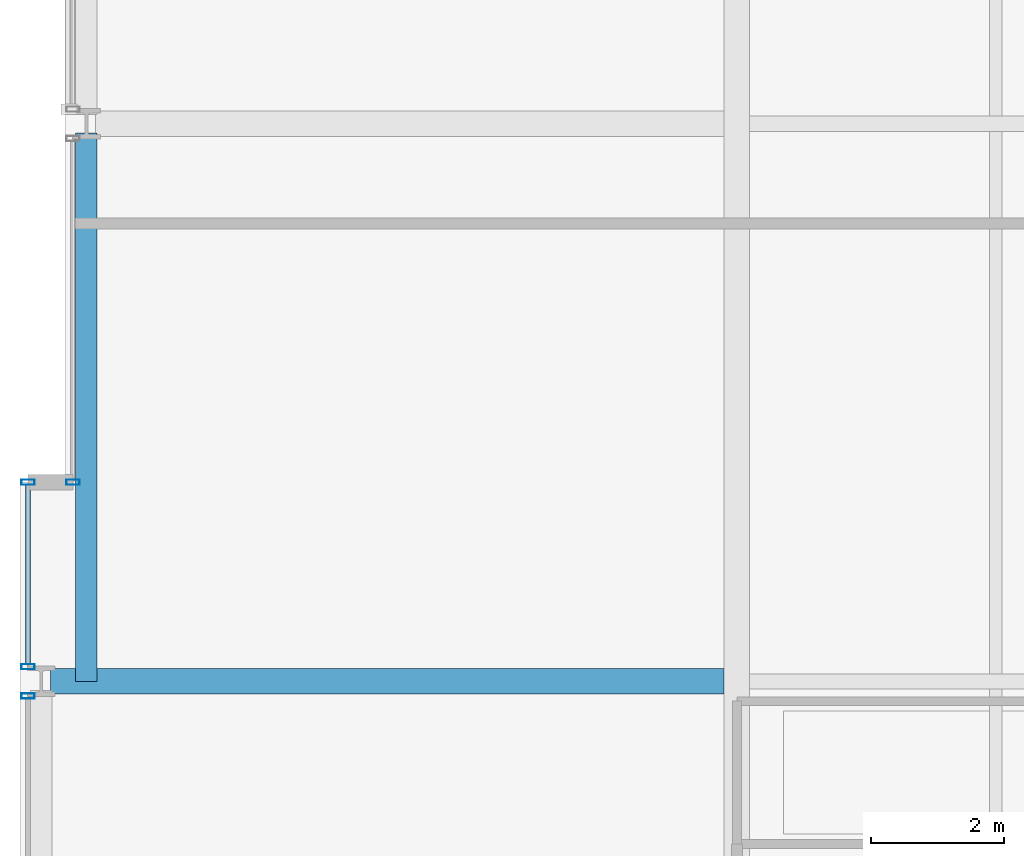
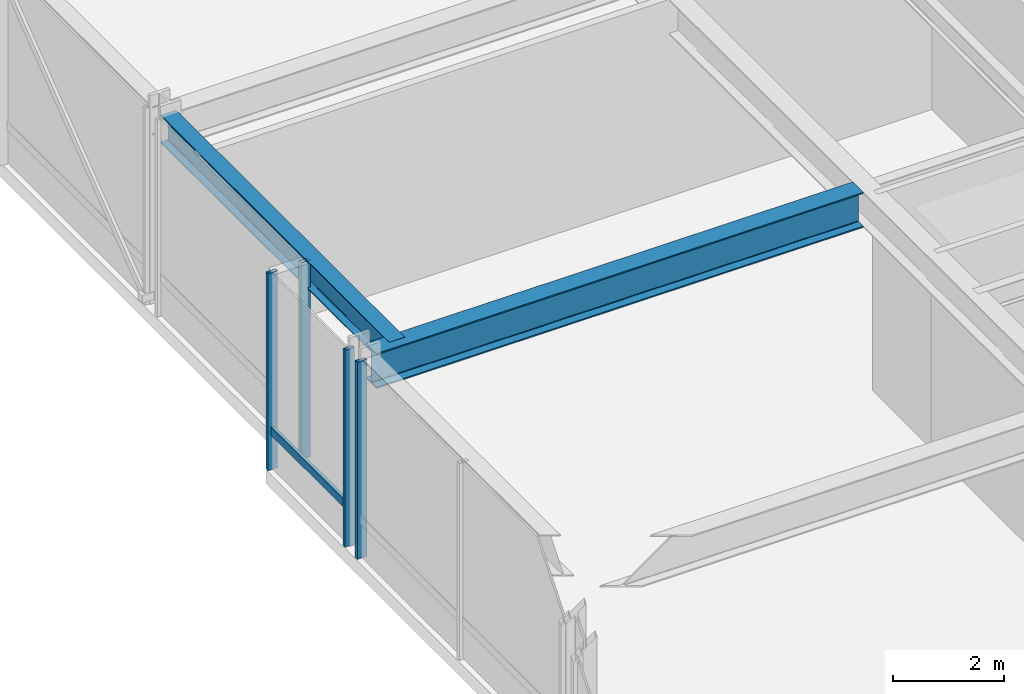
# One storey, part 7 of 33: 5 members, 2 beams, 3 elements without a shape of their own.
"""IFC4 building model written with IfcOpenShell, lengths in metres."""

from ifc_helpers import new_model, si_unit, direction, frame, origin, origin_2d, place, context, subcontext, project, spatial, hollow_rectangle, i_section, extrude, material, layer, layer_set, material_profile, profile_set, type_object, element, aggregate, save


model = new_model("IFC4")

# Units and contexts
model_context = context("Model", 3, precision=1e-05, world=origin(), true_north=direction((0.0, 1.0)))
body_context = subcontext(model_context, "Body", "Model", "MODEL_VIEW")
ifc_project = project(units=[si_unit("LENGTHUNIT", "METRE"), si_unit("AREAUNIT", "SQUARE_METRE"), si_unit("VOLUMEUNIT", "CUBIC_METRE"), si_unit("PLANEANGLEUNIT", "RADIAN"), si_unit("MASSUNIT", "GRAM", prefix="KILO")], contexts=[model_context])

# Site, building, storey
site_placement = place(None, origin())
site = spatial("IfcSite", under=ifc_project, at=site_placement, CompositionType="ELEMENT")
building_placement = place(site_placement, origin())
building = spatial("IfcBuilding", under=site, at=building_placement, Name="Drelvath Grand Hotel", CompositionType="ELEMENT")
storey_placement = place(building_placement, frame((0.0, 0.0, 87.199951171875)))
storey = spatial("IfcBuildingStorey", under=building, at=storey_placement, Name="L21", CompositionType="ELEMENT", Elevation=87.199951171875)

# Curtain wall, member
ifc_material_1 = material(Name="Champagne Bronze Anodised Aluminium Frame", Category="aluminium")
ifc_layer = layer(ifc_material_1, 0.199951171875)
ifc_layer_set = layer_set([ifc_layer], Name="Champagne Bronze Anodised Aluminium Frame")
curtain_wall_type = type_object("IfcCurtainWallType", Name="Stick Curtain Wall CW-03 Champagne Bronze Mid-Rise", PredefinedType="NOTDEFINED", material=ifc_layer_set)
curtain_wall_1_placement = place(storey_placement, origin())
curtain_wall_1 = element("IfcCurtainWall", 1, at=curtain_wall_1_placement, inside=storey, type_object=curtain_wall_type, Name="L21 CW-03 Curtain Wall CW03-L21-WS3", PredefinedType="NOTDEFINED")
ifc_material_profile_1 = material_profile(ifc_material_1, hollow_rectangle(XDim=0.074951171875, YDim=0.179931640625, WallThickness=0.0048828125, at=origin_2d()), Name="HSS180X75X5")
ifc_profile_set_1 = profile_set([ifc_material_profile_1], Name="Champagne Bronze Anodised Aluminium Frame")
member_type_1 = type_object("IfcMemberType", Name="Curtain Wall Horizontal Transom CW-03 HSS180X75X5", PredefinedType="USERDEFINED", material=ifc_profile_set_1)
member_1_placement = place(storey_placement, frame((-26.8798828125, 18.859619140625, 0.85009765625), z_axis=(0.0, 1.0, 0.0), x_axis=(-1.0, 0.0, 0.0)))
member_1 = element("IfcMember", 2, at=member_1_placement, type_object=member_type_1, Name="CW03-L21-WS3 Sill Transom", ObjectType="TRANSOM", PredefinedType="USERDEFINED", context=body_context, shape_type="SweptSolid", body=[
    extrude(hollow_rectangle(XDim=0.074951171875, YDim=0.179931640625, WallThickness=0.0048828125, at=origin_2d()), origin(), (0.0, 0.0, 1.0), 2.700439453125),
])

curtain_wall_2_placement = place(storey_placement, origin())
curtain_wall_2 = element("IfcCurtainWall", 3, at=curtain_wall_2_placement, inside=storey, type_object=curtain_wall_type, Name="L21 CW-03 Curtain Wall CW03-L21-WS2", PredefinedType="NOTDEFINED")
ifc_material_profile_2 = material_profile(ifc_material_1, hollow_rectangle(XDim=0.080078125, YDim=0.199951171875, WallThickness=0.0048828125, at=origin_2d()), Name="HSS200X80X5")
ifc_profile_set_2 = profile_set([ifc_material_profile_2], Name="Champagne Bronze Anodised Aluminium Frame")
member_type_2 = type_object("IfcMemberType", Name="Curtain Wall Vertical Mullion CW-03 HSS200X80X5", PredefinedType="MULLION", material=ifc_profile_set_2)
member_2_placement = place(storey_placement, frame((-26.8798828125, 18.38037109375, 0.0), z_axis=(0.0, 0.0, 1.0), x_axis=(0.0, 1.0, 0.0)))
member_2 = element("IfcMember", 4, at=member_2_placement, type_object=member_type_2, Name="CW03-L21-WS2 Mullion 3", PredefinedType="MULLION", context=body_context, shape_type="SweptSolid", body=[
    extrude(hollow_rectangle(XDim=0.080078125, YDim=0.199951171875, WallThickness=0.0048828125, at=origin_2d()), origin(), (0.0, 0.0, 1.0), 4.340087890625),
])
aggregate(curtain_wall_2, [member_2])

# Member
member_3_placement = place(storey_placement, frame((-26.8798828125, 18.819580078125, 0.0), z_axis=(0.0, 0.0, 1.0), x_axis=(0.0, 1.0, 0.0)))
member_3 = element("IfcMember", 5, at=member_3_placement, type_object=member_type_2, Name="CW03-L21-WS3 Mullion 1", PredefinedType="MULLION", context=body_context, shape_type="SweptSolid", body=[
    extrude(hollow_rectangle(XDim=0.080078125, YDim=0.199951171875, WallThickness=0.0048828125, at=origin_2d()), origin(), (0.0, 0.0, 1.0), 4.340087890625),
])

member_4_placement = place(storey_placement, frame((-26.8798828125, 21.60009765625, 0.0), z_axis=(0.0, 0.0, 1.0), x_axis=(0.0, 1.0, 0.0)))
member_4 = element("IfcMember", 6, at=member_4_placement, type_object=member_type_2, Name="CW03-L21-WS3 Mullion 2", PredefinedType="MULLION", context=body_context, shape_type="SweptSolid", body=[
    extrude(hollow_rectangle(XDim=0.080078125, YDim=0.199951171875, WallThickness=0.0048828125, at=origin_2d()), origin(), (0.0, 0.0, 1.0), 4.340087890625),
])

aggregate(curtain_wall_1, [member_3, member_4, member_1])

# Curtain wall, member
curtain_wall_3_placement = place(storey_placement, origin())
curtain_wall_3 = element("IfcCurtainWall", 7, at=curtain_wall_3_placement, inside=storey, type_object=curtain_wall_type, Name="L21 CW-03 Curtain Wall CW03-L21-WM1", PredefinedType="NOTDEFINED")
member_5_placement = place(storey_placement, frame((-26.199951171875, 21.60009765625, 0.0), z_axis=(0.0, 0.0, 1.0), x_axis=(0.0, 1.0, 0.0)))
member_5 = element("IfcMember", 8, at=member_5_placement, type_object=member_type_2, Name="CW03-L21-WM1 Mullion 1", PredefinedType="MULLION", context=body_context, shape_type="SweptSolid", body=[
    extrude(hollow_rectangle(XDim=0.080078125, YDim=0.199951171875, WallThickness=0.0048828125, at=origin_2d()), origin(), (0.0, 0.0, 1.0), 4.340087890625),
])
aggregate(curtain_wall_3, [member_5])

# Beams
ifc_material_2 = material(Name="Steel ASTM A992 Gr 50", Category="steel")
ifc_material_profile_3 = material_profile(ifc_material_2, i_section(OverallWidth=0.323974609375, OverallDepth=0.611083984375, WebThickness=0.0126953125, FlangeThickness=0.01904296875, FilletRadius=0.02197265625, at=origin_2d()), Name="W24X104")
ifc_profile_set_3 = profile_set([ifc_material_profile_3], Name="Steel ASTM A992 Gr 50")
beam_type_1 = type_object("IfcBeamType", Name="Perimeter Spandrel Beam W24X104", PredefinedType="SPANDREL", material=ifc_profile_set_3)
beam_1_placement = place(storey_placement, frame((-26.0, 18.60009765625, 4.03466796875), z_axis=(0.0, 1.0, 0.0), x_axis=(-1.0, 0.0, 0.0)))
element("IfcBeam", 9, at=beam_1_placement, inside=storey, type_object=beam_type_1, Name="L21 Spandrel West Mid S", PredefinedType="SPANDREL", context=body_context, shape_type="SweptSolid", body=[
    extrude(i_section(OverallWidth=0.323974609375, OverallDepth=0.611083984375, WebThickness=0.0126953125, FlangeThickness=0.01904296875, FilletRadius=0.02197265625, at=origin_2d()), origin(), (0.0, 0.0, 1.0), 8.260009765625),
])
ifc_material_profile_4 = material_profile(ifc_material_2, i_section(OverallWidth=0.380615234375, OverallDepth=0.773193359375, WebThickness=0.0166015625, FlangeThickness=0.027099609375, FilletRadius=0.02490234375, at=origin_2d()), Name="W30X173")
ifc_profile_set_4 = profile_set([ifc_material_profile_4], Name="Steel ASTM A992 Gr 50")
beam_type_2 = type_object("IfcBeamType", Name="Primary Floor Girder W30X173", PredefinedType="BEAM", material=ifc_profile_set_4)
beam_2_placement = place(storey_placement, frame((-26.5400390625, 18.60009765625, 3.953369140625), z_axis=(1.0, 0.0, 0.0), x_axis=(0.0, 1.0, 0.0)))
element("IfcBeam", 10, at=beam_2_placement, inside=storey, type_object=beam_type_2, Name="L21 West Wing Girder D", PredefinedType="BEAM", context=body_context, shape_type="SweptSolid", body=[
    extrude(i_section(OverallWidth=0.380615234375, OverallDepth=0.773193359375, WebThickness=0.0166015625, FlangeThickness=0.027099609375, FilletRadius=0.02490234375, at=origin_2d()), origin(), (0.0, 0.0, 1.0), 10.149658203125),
])

save(model, "model.ifc")
